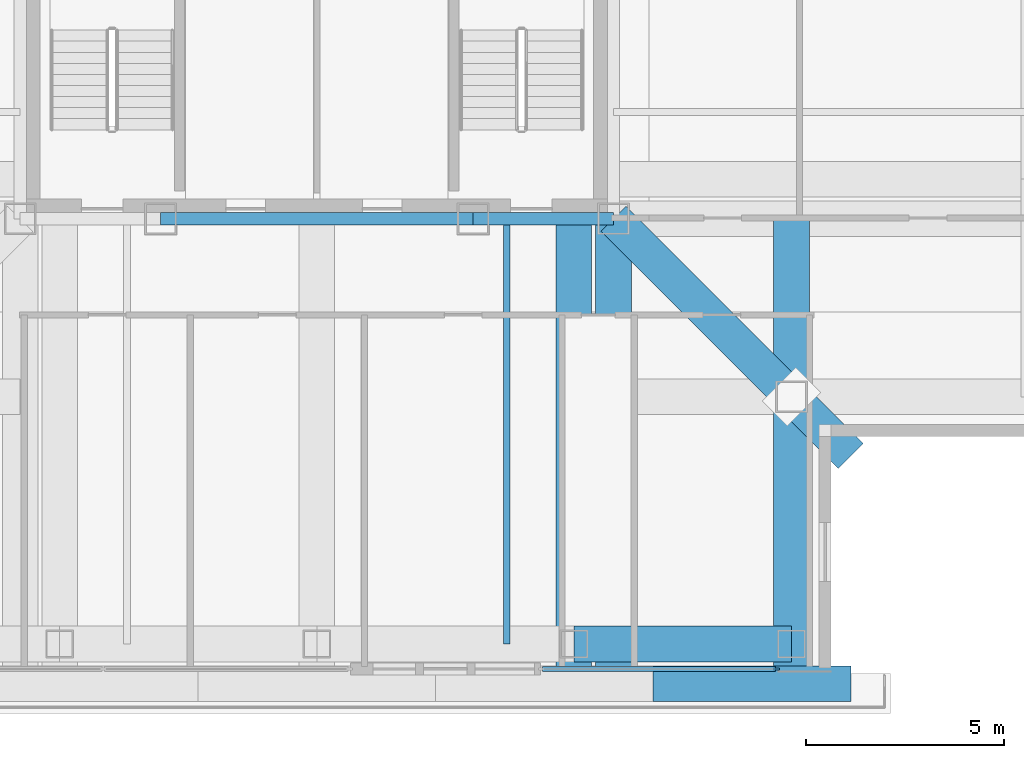
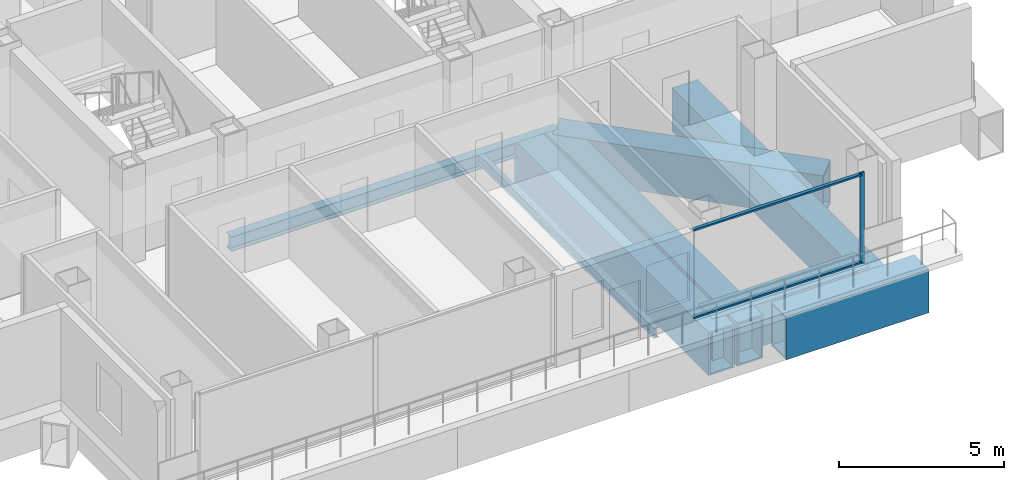
# One storey, part 3 of 15: 9 beams, 3 members, 1 element without a shape of its own.
"""IFC4 building model written with IfcOpenShell, lengths in metres."""

from ifc_helpers import new_model, si_unit, direction, frame, origin, origin_2d, place, context, subcontext, project, spatial, rectangle, hollow_rectangle, i_section, extrude, material, layer, layer_set, material_profile, profile_set, type_object, element, aggregate, save


model = new_model("IFC4")

# Units and contexts
model_context = context("Model", 3, precision=1e-05, world=origin(), true_north=direction((0.0, 1.0)))
body_context = subcontext(model_context, "Body", "Model", "MODEL_VIEW")
ifc_project = project(units=[si_unit("LENGTHUNIT", "METRE"), si_unit("AREAUNIT", "SQUARE_METRE"), si_unit("VOLUMEUNIT", "CUBIC_METRE"), si_unit("PLANEANGLEUNIT", "RADIAN"), si_unit("MASSUNIT", "GRAM", prefix="KILO")], contexts=[model_context])

# Site, building, storey
site_placement = place(None, origin())
site = spatial("IfcSite", under=ifc_project, at=site_placement, CompositionType="ELEMENT")
building_placement = place(site_placement, origin())
building = spatial("IfcBuilding", under=site, at=building_placement, Name="Trevonay Congress Spire", CompositionType="ELEMENT")
storey_placement = place(building_placement, frame((0.0, 0.0, 232.39990234375)))
storey = spatial("IfcBuildingStorey", under=building, at=storey_placement, Name="L60", CompositionType="ELEMENT", Elevation=232.39990234375)

# Beams
ifc_material_1 = material(Name="Steel ASTM A572 Grade 50", Category="steel")
ifc_material_profile_1 = material_profile(ifc_material_1, i_section(OverallWidth=0.31201171875, OverallDepth=0.54296875, WebThickness=0.0126953125, FlangeThickness=0.020263671875, FilletRadius=0.014892578125, at=origin_2d()), Name="W530x150")
ifc_profile_set_1 = profile_set([ifc_material_profile_1], Name="Steel ASTM A572 Grade 50")
beam_type_1 = type_object("IfcBeamType", Name="BM-GIRD-W530X150", PredefinedType="BEAM", material=ifc_profile_set_1)
beam_1_placement = place(storey_placement, frame((-3.949951171875, -7.5, -0.67138671875), z_axis=(1.0, 0.0, 0.0), x_axis=(0.0, 1.0, 0.0)))
element("IfcBeam", 1, at=beam_1_placement, inside=storey, type_object=beam_type_1, Name="L60 structural beam BM-L60-CR-S2", PredefinedType="BEAM", context=body_context, shape_type="SweptSolid", body=[
    extrude(i_section(OverallWidth=0.31201171875, OverallDepth=0.54296875, WebThickness=0.0126953125, FlangeThickness=0.020263671875, FilletRadius=0.014892578125, at=origin_2d()), origin(), (0.0, 0.0, 1.0), 7.89990234375),
])
beam_2_placement = place(storey_placement, frame((3.949951171875, -7.5, -0.67138671875), z_axis=(1.0, 0.0, 0.0), x_axis=(0.0, 1.0, 0.0)))
element("IfcBeam", 2, at=beam_2_placement, inside=storey, type_object=beam_type_1, Name="L60 structural beam BM-L60-CR-S3", PredefinedType="BEAM", context=body_context, shape_type="SweptSolid", body=[
    extrude(i_section(OverallWidth=0.31201171875, OverallDepth=0.54296875, WebThickness=0.0126953125, FlangeThickness=0.020263671875, FilletRadius=0.014892578125, at=origin_2d()), origin(), (0.0, 0.0, 1.0), 3.550048828125),
])
ifc_material_profile_2 = material_profile(ifc_material_1, hollow_rectangle(XDim=0.89990234375, YDim=1.60009765625, WallThickness=0.06005859375, at=origin_2d()), Name="BOX 1600x900x60")
ifc_profile_set_2 = profile_set([ifc_material_profile_2], Name="Steel ASTM A572 Grade 50")
beam_type_2 = type_object("IfcBeamType", Name="BM-RING-BOX1600", PredefinedType="BEAM", material=ifc_profile_set_2)
beam_3_placement = place(storey_placement, frame((6.5, -18.25, -1.199951171875), z_axis=(1.0, 0.0, 0.0), x_axis=(0.0, 1.0, 0.0)))
element("IfcBeam", 3, at=beam_3_placement, inside=storey, type_object=beam_type_2, Name="L60 structural beam BM-L60-PS4", PredefinedType="BEAM", context=body_context, shape_type="SweptSolid", body=[
    extrude(hollow_rectangle(XDim=0.89990234375, YDim=1.60009765625, WallThickness=0.06005859375, at=origin_2d()), origin(), (0.0, 0.0, 1.0), 5.5),
])
beam_4_placement = place(storey_placement, frame((8.5, -19.25, -1.199951171875), z_axis=(1.0, 0.0, 0.0), x_axis=(0.0, 1.0, 0.0)))
element("IfcBeam", 4, at=beam_4_placement, inside=storey, type_object=beam_type_2, Name="L60 structural beam XOUT-L60-S4", PredefinedType="BEAM", context=body_context, shape_type="SweptSolid", body=[
    extrude(hollow_rectangle(XDim=0.89990234375, YDim=1.60009765625, WallThickness=0.06005859375, at=origin_2d()), origin(), (0.0, 0.0, 1.0), 5.0),
])
ifc_material_profile_3 = material_profile(ifc_material_1, hollow_rectangle(XDim=0.89990234375, YDim=1.60009765625, WallThickness=0.06005859375, at=origin_2d()), Name="BOX 1600x900x60")
ifc_profile_set_3 = profile_set([ifc_material_profile_3], Name="Steel ASTM A572 Grade 50")
beam_type_3 = type_object("IfcBeamType", Name="BM-XFER-BOX1600", PredefinedType="BEAM", material=ifc_profile_set_3)
beam_5_placement = place(storey_placement, frame((7.5, -7.5, -1.199951171875), z_axis=(0.707106781187, -0.707106781187, 0.0), x_axis=(0.707106781187, 0.707106781187, 0.0)))
element("IfcBeam", 5, at=beam_5_placement, inside=storey, type_object=beam_type_3, Name="L60 structural beam BM-L60-CDSE", PredefinedType="BEAM", context=body_context, shape_type="SweptSolid", body=[
    extrude(hollow_rectangle(XDim=0.89990234375, YDim=1.60009765625, WallThickness=0.06005859375, at=origin_2d()), origin(), (0.0, 0.0, 1.0), 8.4853515625),
])
for number, where, z_axis, x_axis, name in (
    (6, (7.5, -7.5, -1.199951171875), (0.0, -1.0, 0.0), (1.0, 0.0, 0.0), "L60 structural beam XSPN-L60-CY-SE"),
    (7, (6.5, -7.5, -1.199951171875), (0.0, -1.0, 0.0), (1.0, 0.0, 0.0), "L60 structural beam XFER-L60-S3"),
    (8, (12.0, -7.5, -1.199951171875), (0.0, -1.0, 0.0), (1.0, 0.0, 0.0), "L60 structural beam XFER-L60-S4"),
):
    element("IfcBeam", number, at=place(storey_placement, frame(where, z_axis=z_axis, x_axis=x_axis)), inside=storey, type_object=beam_type_3, Name=name, PredefinedType="BEAM", context=body_context, shape_type="SweptSolid", body=[
        extrude(hollow_rectangle(XDim=0.89990234375, YDim=1.60009765625, WallThickness=0.06005859375, at=origin_2d()), origin(), (0.0, 0.0, 1.0), 11.75),
    ])

# Curtain wall, members
ifc_material_2 = material(Name="Pale Anodised Aluminium EN AW-6063-T6", Category="aluminium")
ifc_layer = layer(ifc_material_2, 0.1650390625, Name="Pale Anodised Aluminium EN AW-6063-T6")
ifc_layer_set = layer_set([ifc_layer], Name="Pale Anodised Aluminium EN AW-6063-T6")
curtain_wall_type = type_object("IfcCurtainWallType", Name="CW-SYS05-DIPLOM-PALE-METAL", PredefinedType="NOTDEFINED", material=ifc_layer_set)
curtain_wall_placement = place(storey_placement, origin())
curtain_wall = element("IfcCurtainWall", 9, at=curtain_wall_placement, inside=storey, type_object=curtain_wall_type, Name="L60 SB unitised curtain wall", PredefinedType="NOTDEFINED")
ifc_material_profile_4 = material_profile(ifc_material_2, rectangle(XDim=0.06005859375, YDim=0.159912109375, at=origin_2d()), Name="CW-MULLION-160-ALUMINIUM")
ifc_profile_set_4 = profile_set([ifc_material_profile_4], Name="Pale Anodised Aluminium EN AW-6063-T6")
member_type_1 = type_object("IfcMemberType", Name="CW-MULLION-160-ALUMINIUM", PredefinedType="MULLION", material=ifc_profile_set_4)
member_1_placement = place(storey_placement, frame((11.6201171875, -18.8798828125, 0.0), z_axis=(0.0, 0.0, 1.0), x_axis=(0.0, 1.0, 0.0)))
member_1 = element("IfcMember", 10, at=member_1_placement, type_object=member_type_1, Name="CW05 mullion 2", PredefinedType="MULLION", context=body_context, shape_type="SweptSolid", body=[
    extrude(rectangle(XDim=0.06005859375, YDim=0.159912109375, at=origin_2d()), origin(), (0.0, 0.0, 1.0), 3.360107421875),
])
ifc_material_profile_5 = material_profile(ifc_material_2, rectangle(XDim=0.1201171875, YDim=0.06005859375, at=origin_2d()), Name="CW-TRANSOM-120-ALUMINIUM")
ifc_profile_set_5 = profile_set([ifc_material_profile_5], Name="Pale Anodised Aluminium EN AW-6063-T6")
member_type_2 = type_object("IfcMemberType", Name="CW-TRANSOM-120-ALUMINIUM", PredefinedType="USERDEFINED", material=ifc_profile_set_5)
member_2_placement = place(storey_placement, frame((5.7099609375, -18.8798828125, 0.06005859375), z_axis=(1.0, 0.0, 0.0), x_axis=(0.0, 1.0, 0.0)))
member_2 = element("IfcMember", 11, at=member_2_placement, type_object=member_type_2, Name="CW05 transom 1.1", ObjectType="TRANSOM", PredefinedType="USERDEFINED", context=body_context, shape_type="SweptSolid", body=[
    extrude(rectangle(XDim=0.1201171875, YDim=0.06005859375, at=origin_2d()), origin(), (0.0, 0.0, 1.0), 5.880126953125),
])
member_3_placement = place(storey_placement, frame((5.7099609375, -18.8798828125, 3.300048828125), z_axis=(1.0, 0.0, 0.0), x_axis=(0.0, 1.0, 0.0)))
member_3 = element("IfcMember", 12, at=member_3_placement, type_object=member_type_2, Name="CW05 transom 1.2", ObjectType="TRANSOM", PredefinedType="USERDEFINED", context=body_context, shape_type="SweptSolid", body=[
    extrude(rectangle(XDim=0.1201171875, YDim=0.06005859375, at=origin_2d()), origin(), (0.0, 0.0, 1.0), 5.880126953125),
])
aggregate(curtain_wall, [member_1, member_2, member_3])

# Beam
ifc_material_profile_6 = material_profile(ifc_material_1, i_section(OverallWidth=0.172119140625, OverallDepth=0.35791015625, WebThickness=0.0078125, FlangeThickness=0.01318359375, FilletRadius=0.011962890625, at=origin_2d()), Name="W360x57.8")
ifc_profile_set_6 = profile_set([ifc_material_profile_6], Name="Steel ASTM A572 Grade 50")
beam_type_4 = type_object("IfcBeamType", Name="JS-COMP-W360X57", PredefinedType="JOIST", material=ifc_profile_set_6)
beam_6_placement = place(storey_placement, frame((4.800048828125, -18.25, -0.578857421875), z_axis=(0.0, 1.0, 0.0), x_axis=(-1.0, 0.0, 0.0)))
element("IfcBeam", 13, at=beam_6_placement, inside=storey, type_object=beam_type_4, Name="L60 structural beam JS-L60-NS-S3", PredefinedType="JOIST", context=body_context, shape_type="SweptSolid", body=[
    extrude(i_section(OverallWidth=0.172119140625, OverallDepth=0.35791015625, WebThickness=0.0078125, FlangeThickness=0.01318359375, FilletRadius=0.011962890625, at=origin_2d()), origin(), (0.0, 0.0, 1.0), 10.75),
])

save(model, "model.ifc")
